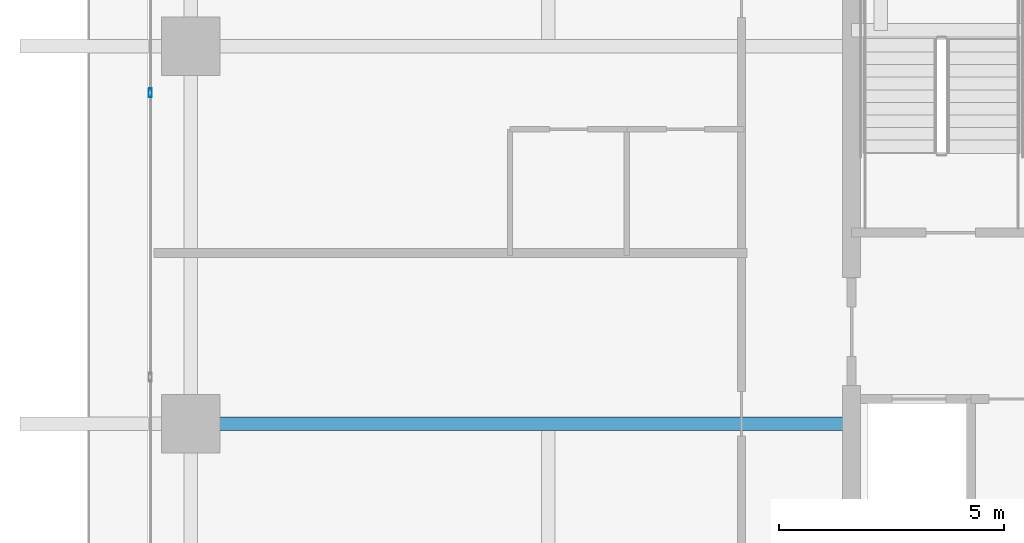
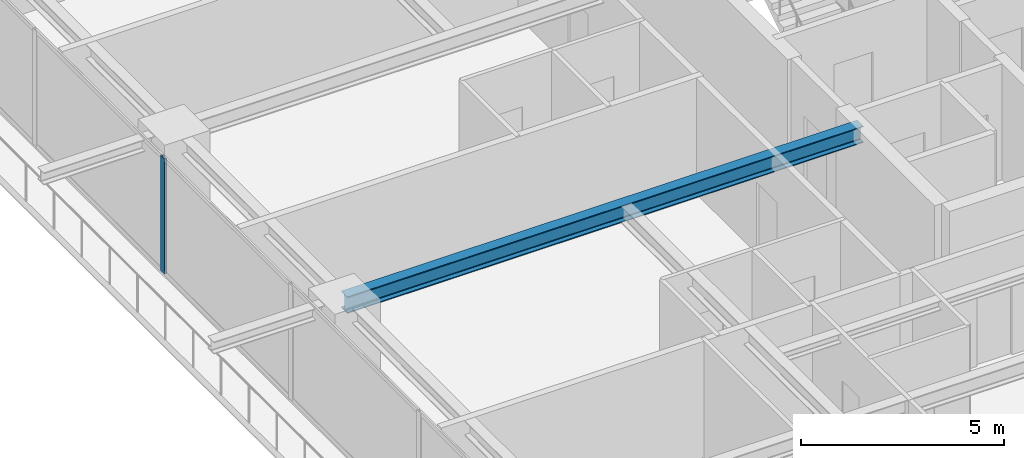
# One storey, part 7 of 33: 1 beam, 1 member, 1 element without a shape of its own.
"""IFC4 building model written with IfcOpenShell, lengths in metres."""

import ifcopenshell
import ifcopenshell.guid

model = None  # the IFC model being written
_history = None  # IfcOwnerHistory: only IFC2X3 demands one
_inside = {}  # id of a spatial element -> (the spatial element, [elements in it])
_under = {}  # id of a project, library or spatial element -> (it, [spatial elements below it])
_declared = {}  # id of a project -> (the project, [libraries it declares])
_typed = {}  # id of a type object -> (the type object, [elements of that type])
_made_of = {}  # id of a material, layer set ... -> (it, [elements and type objects made of it])


def new_model(schema):
    """Start an empty IFC model of exactly this schema.

    Asked for "IFC4X3", IfcOpenShell would pick the latest addendum, in which some entities
    have other attributes; the version numbers below select the first issue.
    IFC2X3 requires an IfcOwnerHistory on every rooted entity: one is made here for all.
    """
    global model, _history
    if schema == "IFC4X3":
        model = ifcopenshell.file(schema_version=(4, 3, 0, 0))
    else:
        model = ifcopenshell.file(schema=schema)
    _inside.clear()
    _under.clear()
    _declared.clear()
    _typed.clear()
    _made_of.clear()
    _history = None
    if model.schema == "IFC2X3":
        org = make("IfcOrganization", Name="unknown")
        user = make(
            "IfcPersonAndOrganization",
            ThePerson=make("IfcPerson", FamilyName="unknown"),
            TheOrganization=org,
        )
        app = make(
            "IfcApplication",
            ApplicationDeveloper=org,
            Version="unknown",
            ApplicationFullName="unknown",
            ApplicationIdentifier="unknown",
        )
        _history = make(
            "IfcOwnerHistory",
            OwningUser=user,
            OwningApplication=app,
            ChangeAction="ADDED",
            CreationDate=0,
        )
    return model


def make(cls, **values):
    """One entity of the class cls with the attributes given. An attribute that is None is left unset."""
    return model.create_entity(
        cls, **{name: value for name, value in values.items() if value is not None}
    )


def rooted(cls, **values):
    """An entity with a GlobalId (a new one), such as an element, a storey or a relation."""
    return make(cls, GlobalId=ifcopenshell.guid.new(), OwnerHistory=_history, **values)


def si_unit(unit_type, name, prefix=None):
    """IfcSIUnit, for example si_unit("LENGTHUNIT", "METRE", prefix="MILLI")."""
    return make("IfcSIUnit", UnitType=unit_type, Prefix=prefix, Name=name)


def assignment(units):
    """IfcUnitAssignment: the units of a project."""
    return None if units is None else make("IfcUnitAssignment", Units=units)


def point(xyz):
    """IfcCartesianPoint."""
    return None if xyz is None else make("IfcCartesianPoint", Coordinates=xyz)


def direction(xyz):
    """IfcDirection."""
    return None if xyz is None else make("IfcDirection", DirectionRatios=xyz)


def frame(location, z_axis=None, x_axis=None):
    """IfcAxis2Placement3D, a coordinate frame: its origin and axes. An axis left out is left unset."""
    return make(
        "IfcAxis2Placement3D",
        Location=point(location),
        Axis=direction(z_axis),
        RefDirection=direction(x_axis),
    )


def frame_2d(location, x_axis=None):
    """IfcAxis2Placement2D, a coordinate frame in the plane: its origin and x axis."""
    return make(
        "IfcAxis2Placement2D", Location=point(location), RefDirection=direction(x_axis)
    )


def origin():
    """The frame at (0, 0, 0) with its axes left unset."""
    return frame((0.0, 0.0, 0.0))


def origin_2d():
    """The frame at (0, 0) in the plane with its x axis left unset."""
    return frame_2d((0.0, 0.0))


def place(relative_to, where):
    """IfcLocalPlacement: puts the frame where relative to a parent placement (None: the world)."""
    return make(
        "IfcLocalPlacement", PlacementRelTo=relative_to, RelativePlacement=where
    )


def context(
    kind, dimensions, precision=None, world=None, true_north=None, identifier=None
):
    """IfcGeometricRepresentationContext, for example the 3D "Model" context."""
    return make(
        "IfcGeometricRepresentationContext",
        ContextIdentifier=identifier,
        ContextType=kind,
        CoordinateSpaceDimension=dimensions,
        Precision=precision,
        WorldCoordinateSystem=world,
        TrueNorth=true_north,
    )


def subcontext(parent, identifier, kind, view, scale=None):
    """IfcGeometricRepresentationSubContext, for example "Body" below "Model"."""
    return make(
        "IfcGeometricRepresentationSubContext",
        ContextIdentifier=identifier,
        ContextType=kind,
        ParentContext=parent,
        TargetScale=scale,
        TargetView=view,
    )


def project(units=None, contexts=None):
    """IfcProject with its units and contexts."""
    return rooted(
        "IfcProject",
        Name="project",
        RepresentationContexts=contexts,
        UnitsInContext=assignment(units),
    )


def spatial(cls, under=None, at=None, **own):
    """A site, building, storey or space (cls), placed at a placement, below another one or the project."""
    s = rooted(cls, ObjectPlacement=at, **own)
    if under is not None:
        _under.setdefault(under.id(), (under, []))[1].append(s)
    return s


def profile(cls, at=None, kind="AREA", **sizes):
    """A parametric profile (cls). Its sizes go by their IFC names, for example OverallWidth=200.0."""
    return make(cls, ProfileType=kind, Position=at, **sizes)


def hollow_rectangle(**sizes):
    """IfcRectangleHollowProfileDef."""
    return profile("IfcRectangleHollowProfileDef", **sizes)


def i_section(**sizes):
    """IfcIShapeProfileDef."""
    return profile("IfcIShapeProfileDef", **sizes)


def extrude(swept, where, along, depth):
    """IfcExtrudedAreaSolid: the profile swept, set in the frame where, extruded along a direction by depth."""
    return make(
        "IfcExtrudedAreaSolid",
        SweptArea=swept,
        Position=where,
        ExtrudedDirection=direction(along),
        Depth=depth,
    )


def shape(context_of_items, identifier, shape_type, items):
    """IfcShapeRepresentation: the items that make up one representation, for example the "Body"."""
    return make(
        "IfcShapeRepresentation",
        ContextOfItems=context_of_items,
        RepresentationIdentifier=identifier,
        RepresentationType=shape_type,
        Items=items,
    )


def source(mapping_origin, context_of_items, identifier, shape_type, items):
    """IfcRepresentationMap: a shape defined once, which mapped items show again and again."""
    return make(
        "IfcRepresentationMap",
        MappingOrigin=mapping_origin,
        MappedRepresentation=shape(context_of_items, identifier, shape_type, items),
    )


def transform(
    local_origin,
    x_axis=None,
    y_axis=None,
    z_axis=None,
    scale=None,
    scale2=None,
    scale3=None,
    uniform=True,
):
    """IfcCartesianTransformationOperator3D, or its non-uniform kind. x_axis, y_axis, z_axis: its Axis1, 2, 3."""
    if uniform:
        return make(
            "IfcCartesianTransformationOperator3D",
            Axis1=direction(x_axis),
            Axis2=direction(y_axis),
            LocalOrigin=point(local_origin),
            Scale=scale,
            Axis3=direction(z_axis),
        )
    return make(
        "IfcCartesianTransformationOperator3DnonUniform",
        Axis1=direction(x_axis),
        Axis2=direction(y_axis),
        LocalOrigin=point(local_origin),
        Scale=scale,
        Axis3=direction(z_axis),
        Scale2=scale2,
        Scale3=scale3,
    )


def mapped(mapping_source, mapping_target):
    """IfcMappedItem: shows the shape of a source again, moved by a transform."""
    return make(
        "IfcMappedItem", MappingSource=mapping_source, MappingTarget=mapping_target
    )


def material(Name=None, Category=None):
    """IfcMaterial."""
    return make("IfcMaterial", Name=Name, Category=Category)


def layer(
    of_material, thickness, ventilated=None, Name=None, Category=None, Priority=None
):
    """IfcMaterialLayer: one layer of a wall or slab, of a material (None: an air gap)."""
    return make(
        "IfcMaterialLayer",
        Material=of_material,
        LayerThickness=thickness,
        IsVentilated=ventilated,
        Name=Name,
        Category=Category,
        Priority=Priority,
    )


def layer_set(layers, Name=None):
    """IfcMaterialLayerSet."""
    return make("IfcMaterialLayerSet", MaterialLayers=layers, LayerSetName=Name)


def material_profile(
    of_material, cross_section, Name=None, Category=None, Priority=None
):
    """IfcMaterialProfile: a cross section and its material."""
    return make(
        "IfcMaterialProfile",
        Name=Name,
        Material=of_material,
        Profile=cross_section,
        Priority=Priority,
        Category=Category,
    )


def profile_set(profiles, Name=None, composite=None):
    """IfcMaterialProfileSet."""
    return make(
        "IfcMaterialProfileSet",
        Name=Name,
        MaterialProfiles=profiles,
        CompositeProfile=composite,
    )


def made_of(thing, what):
    """Note that an element or type object is made of a material, layer set ...; save() writes the relation."""
    if what is not None:
        _made_of.setdefault(what.id(), (what, []))[1].append(thing)
    return thing


def type_object(cls, material=None, **own):
    """A type object (cls), such as IfcWallType, which elements share."""
    return made_of(rooted(cls, **own), material)


def element(
    cls,
    number,
    at=None,
    inside=None,
    cuts=None,
    type_object=None,
    material=None,
    context=None,
    identifier="Body",
    shape_type=None,
    held_by="IfcProductDefinitionShape",
    body=None,
    shapes=None,
    **own,
):
    """One element of the class cls, such as IfcWall. Its Tag is "e" and its number.

    at: its placement. inside: the storey or other place that contains it. cuts: it is an
    opening in that element (IfcRelVoidsElement). A single representation is given by context,
    identifier, shape_type and body (its items); several are given by shapes. held_by: the class
    of the entity that holds the representations. save() writes the other relations.
    """
    e = rooted(cls, Tag="e%d" % number, ObjectPlacement=at, **own)
    if body is not None:
        shapes = [shape(context, identifier, shape_type, body)]
    if shapes is not None:
        e.Representation = make(held_by, Representations=shapes)
    if inside is not None:
        _inside.setdefault(inside.id(), (inside, []))[1].append(e)
    if cuts is not None:
        rooted(
            "IfcRelVoidsElement", RelatingBuildingElement=cuts, RelatedOpeningElement=e
        )
    if type_object is not None:
        _typed.setdefault(type_object.id(), (type_object, []))[1].append(e)
    return made_of(e, material)


def aggregate(whole, parts):
    """IfcRelAggregates: a whole, such as a stair, and the parts it consists of."""
    return rooted("IfcRelAggregates", RelatingObject=whole, RelatedObjects=parts)


def save(model, path):
    """Write the relations noted so far, then the file.

    IfcRelAggregates (storeys below a building ...), IfcRelContainedInSpatialStructure (elements
    in a storey), IfcRelDefinesByType, IfcRelAssociatesMaterial and IfcRelDeclares: one each for
    every whole, place, type object, material and project.
    """
    for whole, parts in _under.values():
        aggregate(whole, parts)
    for where, things in _inside.values():
        rooted(
            "IfcRelContainedInSpatialStructure",
            RelatedElements=things,
            RelatingStructure=where,
        )
    for kind, things in _typed.values():
        rooted("IfcRelDefinesByType", RelatedObjects=things, RelatingType=kind)
    for what, things in _made_of.values():
        rooted("IfcRelAssociatesMaterial", RelatedObjects=things, RelatingMaterial=what)
    for by, libraries in _declared.values():
        rooted("IfcRelDeclares", RelatingContext=by, RelatedDefinitions=libraries)
    model.write(path)


model = new_model("IFC4")

# Units and contexts
model_context = context("Model", 3, precision=1e-05, world=origin(), true_north=direction((0.0, 1.0)))
body_context = subcontext(model_context, "Body", "Model", "MODEL_VIEW")
ifc_project = project(units=[si_unit("LENGTHUNIT", "METRE"), si_unit("AREAUNIT", "SQUARE_METRE"), si_unit("VOLUMEUNIT", "CUBIC_METRE"), si_unit("PLANEANGLEUNIT", "RADIAN"), si_unit("MASSUNIT", "GRAM", prefix="KILO")], contexts=[model_context])

# Site, building, storey
site_placement = place(None, origin())
site = spatial("IfcSite", under=ifc_project, at=site_placement, CompositionType="ELEMENT")
building_placement = place(site_placement, origin())
building = spatial("IfcBuilding", under=site, at=building_placement, Name="Serunith Strait Residences", CompositionType="ELEMENT")
storey_placement = place(building_placement, frame((0.0, 0.0, 150.14990234375)))
storey = spatial("IfcBuildingStorey", under=building, at=storey_placement, Name="L37", CompositionType="ELEMENT", Elevation=150.14990234375)

# Beam
ifc_material_1 = material(Name="Steel S355J2", Category="steel")
ifc_material_profile_1 = material_profile(ifc_material_1, i_section(OverallWidth=0.300048828125, OverallDepth=0.5, WebThickness=0.014404296875, FlangeThickness=0.028076171875, FilletRadius=0.027099609375, at=origin_2d()), Name="HEB 500")
ifc_profile_set_1 = profile_set([ifc_material_profile_1], Name="Steel S355J2")
beam_type = type_object("IfcBeamType", Name="BM-HEB500", PredefinedType="BEAM", material=ifc_profile_set_1)
shared_shape_1 = source(origin(), body_context, "Body", "SweptSolid", [
    extrude(i_section(OverallWidth=0.300048828125, OverallDepth=0.5, WebThickness=0.014404296875, FlangeThickness=0.028076171875, FilletRadius=0.027099609375, at=origin_2d()), origin(), (0.0, 0.0, 1.0), 14.699951171875),
])
beam_placement = place(storey_placement, frame((23.39990234375, 21.0, 3.237060546875), z_axis=(-1.0, 0.0, 0.0), x_axis=(0.0, -1.0, 0.0)))
element("IfcBeam", 1, at=beam_placement, inside=storey, type_object=beam_type, Name="L37 Primary Floor Girder TC-W2", PredefinedType="BEAM", context=body_context, shape_type="MappedRepresentation", body=[
    mapped(shared_shape_1, transform((0.0, 0.0, 0.0), scale=1.0)),
])

# Curtain wall, member
ifc_material_2 = material(Name="Pale-Champagne Anodised Aluminium", Category="aluminium")
ifc_layer = layer(ifc_material_2, 0.199951171875, Name="Pale-Champagne Anodised Aluminium")
ifc_layer_set = layer_set([ifc_layer], Name="Pale-Champagne Anodised Aluminium")
curtain_wall_type = type_object("IfcCurtainWallType", Name="CW-SYS2", PredefinedType="NOTDEFINED", material=ifc_layer_set)
curtain_wall_placement = place(storey_placement, origin())
curtain_wall = element("IfcCurtainWall", 2, at=curtain_wall_placement, inside=storey, type_object=curtain_wall_type, Name="L37 W Unitised Fritted Curtain Wall", PredefinedType="NOTDEFINED")
ifc_material_profile_2 = material_profile(ifc_material_2, hollow_rectangle(XDim=0.070068359375, YDim=0.199951171875, WallThickness=0.00390625, InnerFilletRadius=0.006103515625, OuterFilletRadius=0.010009765625, at=origin_2d()), Name="ALU 200x70x4")
ifc_profile_set_2 = profile_set([ifc_material_profile_2], Name="Pale-Champagne Anodised Aluminium")
member_type = type_object("IfcMemberType", Name="CW-SYS2-MULL", PredefinedType="MULLION", material=ifc_profile_set_2)
shared_shape_2 = source(origin(), body_context, "Body", "SweptSolid", [
    extrude(hollow_rectangle(XDim=0.070068359375, YDim=0.199951171875, WallThickness=0.00390625, InnerFilletRadius=0.006103515625, OuterFilletRadius=0.010009765625, at=origin_2d()), origin(), (0.0, 0.0, 1.0), 3.47509765625),
])
member_placement = place(storey_placement, frame((7.800048828125, 28.360107421875, 0.0), z_axis=(0.0, 0.0, 1.0), x_axis=(1.0, 0.0, 0.0)))
member = element("IfcMember", 3, at=member_placement, type_object=member_type, Name="CW-2 mullion 3", PredefinedType="MULLION", context=body_context, shape_type="MappedRepresentation", body=[
    mapped(shared_shape_2, transform((0.0, 0.0, 0.0), scale=1.0)),
])
aggregate(curtain_wall, [member])

save(model, "model.ifc")
